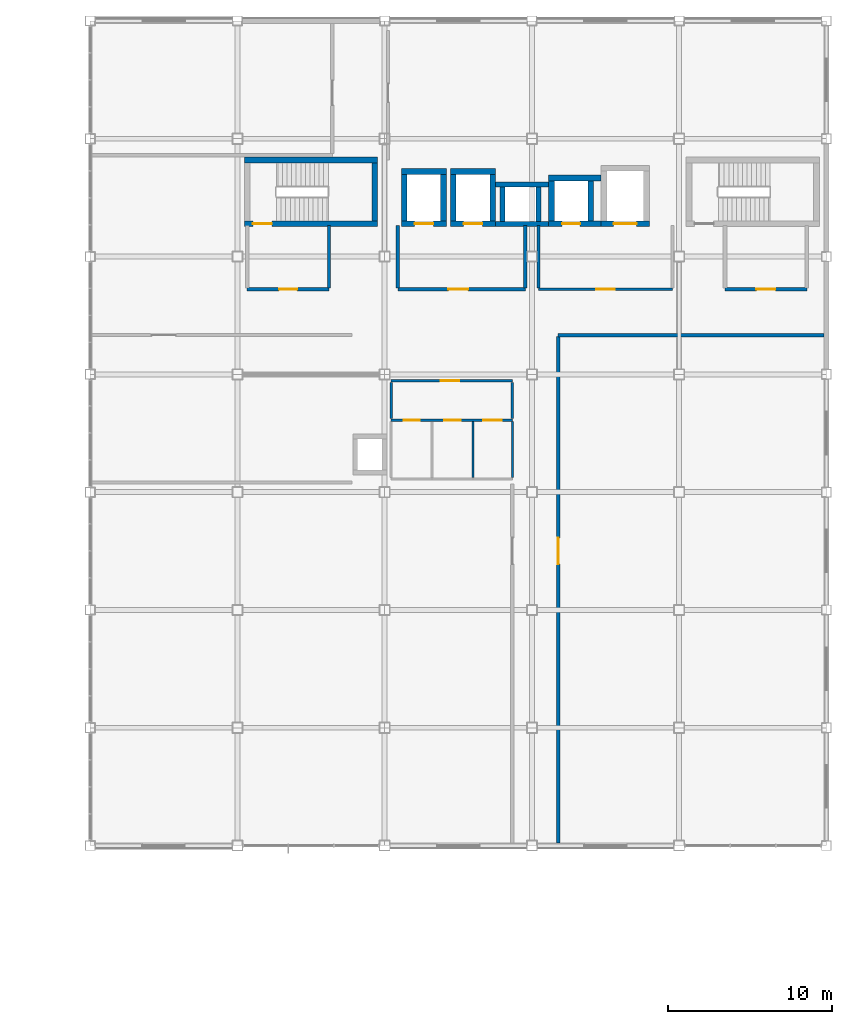
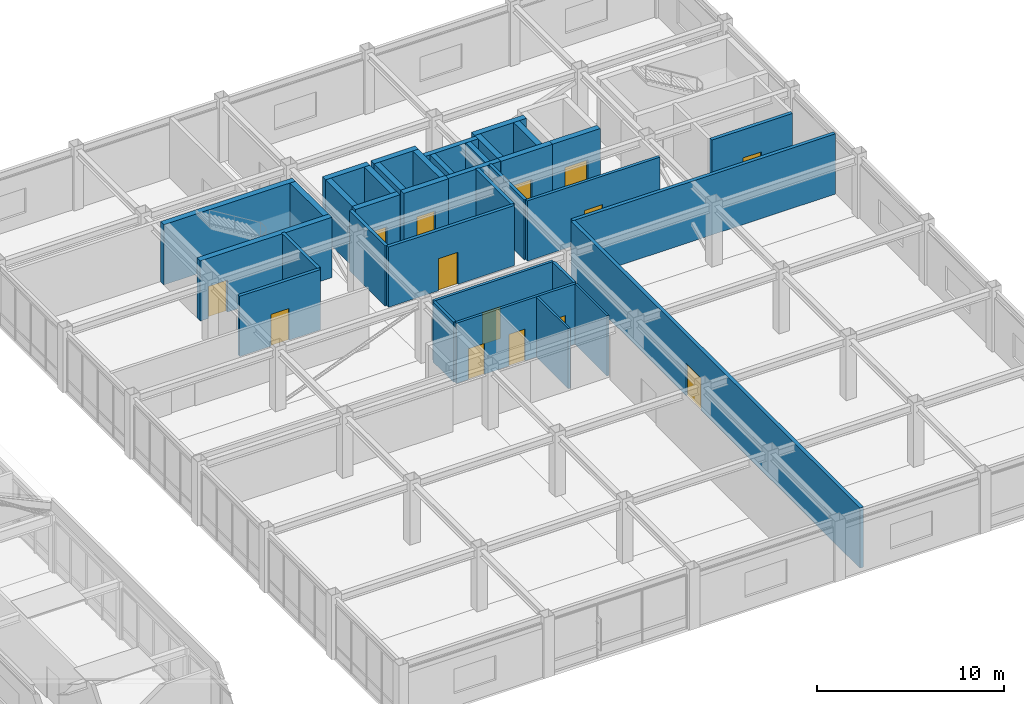
# One storey, part 90 of 106: 36 walls, 14 doors, 14 openings.
"""IFC4 building model written with IfcOpenShell, lengths in metres."""

from ifc_helpers import new_model, si_unit, direction, frame, frame_2d, origin, place, context, subcontext, project, spatial, rectangle, extrude, material, layer, layer_set, type_object, element, fill, save


model = new_model("IFC4")

# Units and contexts
model_context = context("Model", 3, precision=1e-05, world=origin(), true_north=direction((0.0, 1.0)))
body_context = subcontext(model_context, "Body", "Model", "MODEL_VIEW")
ifc_project = project(units=[si_unit("LENGTHUNIT", "METRE"), si_unit("AREAUNIT", "SQUARE_METRE"), si_unit("VOLUMEUNIT", "CUBIC_METRE"), si_unit("PLANEANGLEUNIT", "RADIAN"), si_unit("MASSUNIT", "GRAM", prefix="KILO")], contexts=[model_context])

# Site, building, storey
site_placement = place(None, origin())
site = spatial("IfcSite", under=ifc_project, at=site_placement, CompositionType="ELEMENT")
building_placement = place(site_placement, origin())
building = spatial("IfcBuilding", under=site, at=building_placement, Name="Kazanami Central Library", CompositionType="ELEMENT")
storey_placement = place(building_placement, frame((0.0, 0.0, 12.800048828125)))
storey = spatial("IfcBuildingStorey", under=building, at=storey_placement, Name="L04", CompositionType="ELEMENT", Elevation=12.800048828125)

# Wall, openings, doors
ifc_material_1 = material(Name="Fire-Resistant Gypsum Board GB-F", Category="gypsum")
ifc_layer_1 = layer(ifc_material_1, 0.1650390625, Name="Fire-Resistant Gypsum Board GB-F")
ifc_layer_set_1 = layer_set([ifc_layer_1], Name="Fire-Resistant Gypsum Board GB-F")
wall_type_1 = type_object("IfcWallType", Name="WAL-FW-165", PredefinedType="PARTITIONING", material=ifc_layer_set_1)
wall_1_placement = place(storey_placement, frame((135.39990234375, 69.199951171875, 0.0), z_axis=(0.0, 0.0, 1.0), x_axis=(1.0, 0.0, 0.0)))
wall_1 = element("IfcWall", 1, at=wall_1_placement, inside=storey, type_object=wall_type_1, Name="Interior Partition FW-165 L04 WC-V2-LOB (South)", PredefinedType="PARTITIONING", context=body_context, shape_type="SweptSolid", body=[
    extrude(rectangle(XDim=7.400146484375, YDim=0.1650390625, at=frame_2d((3.7001953125, 0.0))), origin(), (0.0, 0.0, 1.0), 3.93994140625),
])
opening_1_placement = place(wall_1_placement, frame((0.760009765625, 0.0, 0.0)))
opening_1 = element("IfcOpeningElement", 2, at=opening_1_placement, cuts=wall_1, Name="Opening FD30-3", PredefinedType="OPENING", context=body_context, shape_type="SweptSolid", body=[
    extrude(rectangle(XDim=0.97998046875, YDim=2.02001953125, at=frame_2d((0.489990234375, 1.010009765625))), frame((0.0, 0.094482421875, 0.0), z_axis=(0.0, -1.0, 0.0), x_axis=(1.0, 0.0, 0.0)), (0.0, 0.0, 1.0), 0.18896484375),
])
opening_2_placement = place(wall_1_placement, frame((3.25, 0.0, 0.0)))
opening_2 = element("IfcOpeningElement", 3, at=opening_2_placement, cuts=wall_1, Name="Opening FD30-2", PredefinedType="OPENING", context=body_context, shape_type="SweptSolid", body=[
    extrude(rectangle(XDim=1.0, YDim=2.080078125, at=frame_2d((0.5, 1.0400390625))), frame((0.0, 0.094482421875, 0.0), z_axis=(0.0, -1.0, 0.0), x_axis=(1.0, 0.0, 0.0)), (0.0, 0.0, 1.0), 0.18896484375),
])
opening_3_placement = place(wall_1_placement, frame((5.639892578125, 0.0, 0.0)))
opening_3 = element("IfcOpeningElement", 4, at=opening_3_placement, cuts=wall_1, Name="Opening FD30-8", PredefinedType="OPENING", context=body_context, shape_type="SweptSolid", body=[
    extrude(rectangle(XDim=1.1201171875, YDim=2.080078125, at=frame_2d((0.56005859375, 1.0400390625))), frame((0.0, 0.094482421875, 0.0), z_axis=(0.0, -1.0, 0.0), x_axis=(1.0, 0.0, 0.0)), (0.0, 0.0, 1.0), 0.18896484375),
])
ifc_material_2 = material(Name="Cold-Rolled Steel SPCC", Category="steel")
door_type_1 = type_object("IfcDoorType", Name="DOR-FD30-2", OperationType="NOTDEFINED", PredefinedType="DOOR", material=ifc_material_2)
door_1_placement = place(opening_2_placement, origin())
door_1 = element("IfcDoor", 5, at=door_1_placement, inside=storey, type_object=door_type_1, Name="Interior Door FD30-2 L04 WC-V2-F", OperationType="SINGLE_SWING_LEFT", OverallHeight=2.080078125, OverallWidth=1.0, PredefinedType="DOOR", context=body_context, shape_type="SweptSolid", body=[
    extrude(rectangle(XDim=1.0, YDim=2.080078125, at=frame_2d((0.5, 1.0400390625))), frame((0.0, 0.02490234375, 0.0), z_axis=(0.0, -1.0, 0.0), x_axis=(1.0, 0.0, 0.0)), (0.0, 0.0, 1.0), 0.050048828125),
])
fill(opening_2, door_1)
door_type_2 = type_object("IfcDoorType", Name="DOR-FD30-3", OperationType="NOTDEFINED", PredefinedType="DOOR", material=ifc_material_2)
door_2_placement = place(opening_1_placement, origin())
door_2 = element("IfcDoor", 6, at=door_2_placement, inside=storey, type_object=door_type_2, Name="Interior Door FD30-3 L04 WC-V2-M", OperationType="SINGLE_SWING_RIGHT", OverallHeight=2.02001953125, OverallWidth=0.97998046875, PredefinedType="DOOR", context=body_context, shape_type="SweptSolid", body=[
    extrude(rectangle(XDim=0.97998046875, YDim=2.02001953125, at=frame_2d((0.489990234375, 1.010009765625))), frame((0.0, 0.02490234375, 0.0), z_axis=(0.0, -1.0, 0.0), x_axis=(1.0, 0.0, 0.0)), (0.0, 0.0, 1.0), 0.050048828125),
])
fill(opening_1, door_2)
door_type_3 = type_object("IfcDoorType", Name="DOR-FD30-8", OperationType="NOTDEFINED", PredefinedType="DOOR", material=ifc_material_2)
door_3_placement = place(opening_3_placement, origin())
door_3 = element("IfcDoor", 7, at=door_3_placement, inside=storey, type_object=door_type_3, Name="Interior Door FD30-8 L04 WC-V2-ACC", OperationType="SINGLE_SWING_RIGHT", OverallHeight=2.080078125, OverallWidth=1.1201171875, PredefinedType="DOOR", context=body_context, shape_type="SweptSolid", body=[
    extrude(rectangle(XDim=1.1201171875, YDim=2.080078125, at=frame_2d((0.56005859375, 1.0400390625))), frame((0.0, 0.02490234375, 0.0), z_axis=(0.0, -1.0, 0.0), x_axis=(1.0, 0.0, 0.0)), (0.0, 0.0, 1.0), 0.050048828125),
])
fill(opening_3, door_3)

# Wall, opening, door
wall_2_placement = place(storey_placement, frame((135.39990234375, 71.60009765625, 0.0), z_axis=(0.0, 0.0, 1.0), x_axis=(1.0, 0.0, 0.0)))
wall_2 = element("IfcWall", 8, at=wall_2_placement, inside=storey, type_object=wall_type_1, Name="Interior Partition FW-165 L04 WC-V2-LOB (North)", PredefinedType="PARTITIONING", context=body_context, shape_type="SweptSolid", body=[
    extrude(rectangle(XDim=7.400146484375, YDim=0.1650390625, at=frame_2d((3.7001953125, 0.0))), origin(), (0.0, 0.0, 1.0), 3.93994140625),
])
opening_4_placement = place(wall_2_placement, frame((3.0400390625, 0.0, 0.0)))
opening_4 = element("IfcOpeningElement", 9, at=opening_4_placement, cuts=wall_2, Name="Opening FD30-8", PredefinedType="OPENING", context=body_context, shape_type="SweptSolid", body=[
    extrude(rectangle(XDim=1.1201171875, YDim=2.080078125, at=frame_2d((0.56005859375, 1.0400390625))), frame((0.0, 0.094482421875, 0.0), z_axis=(0.0, -1.0, 0.0), x_axis=(1.0, 0.0, 0.0)), (0.0, 0.0, 1.0), 0.18896484375),
])
door_4_placement = place(opening_4_placement, origin())
door_4 = element("IfcDoor", 10, at=door_4_placement, inside=storey, type_object=door_type_3, Name="Interior Door FD30-8 L04 WC-V2-LOB", OperationType="SINGLE_SWING_LEFT", OverallHeight=2.080078125, OverallWidth=1.1201171875, PredefinedType="DOOR", context=body_context, shape_type="SweptSolid", body=[
    extrude(rectangle(XDim=1.1201171875, YDim=2.080078125, at=frame_2d((0.56005859375, 1.0400390625))), frame((0.0, 0.02490234375, 0.0), z_axis=(0.0, -1.0, 0.0), x_axis=(1.0, 0.0, 0.0)), (0.0, 0.0, 1.0), 0.050048828125),
])
fill(opening_4, door_4)

# Walls
for number, where, z_axis, x_axis, name in (
    (11, (135.39990234375, 69.2900390625, 0.0), (0.0, 0.0, 1.0), (0.0, 1.0, 0.0), "Interior Partition FW-165 L04 WC-V2-LOB (West)"),
    (12, (142.800048828125, 69.2900390625, 0.0), (0.0, 0.0, 1.0), (0.0, 1.0, 0.0), "Interior Partition FW-165 L04 WC-V2-LOB (East)"),
):
    element("IfcWall", number, at=place(storey_placement, frame(where, z_axis=z_axis, x_axis=x_axis)), inside=storey, type_object=wall_type_1, Name=name, PredefinedType="PARTITIONING", context=body_context, shape_type="SweptSolid", body=[
        extrude(rectangle(XDim=2.219970703125, YDim=0.1650390625, at=frame_2d((1.10986328125, 0.0))), origin(), (0.0, 0.0, 1.0), 3.93994140625),
    ])

# Wall, opening, door
ifc_layer_2 = layer(ifc_material_1, 0.179931640625, Name="Fire-Resistant Gypsum Board GB-F")
ifc_layer_set_2 = layer_set([ifc_layer_2], Name="Fire-Resistant Gypsum Board GB-F")
wall_type_2 = type_object("IfcWallType", Name="WAL-FW-180", PredefinedType="PARTITIONING", material=ifc_layer_set_2)
wall_3_placement = place(storey_placement, frame((144.39990234375, 77.199951171875, 0.0), z_axis=(0.0, 0.0, 1.0), x_axis=(1.0, 0.0, 0.0)))
wall_3 = element("IfcWall", 13, at=wall_3_placement, inside=storey, type_object=wall_type_2, Name="Interior Partition FW-180 L04 LOBBY-V2 (South)", PredefinedType="PARTITIONING", context=body_context, shape_type="SweptSolid", body=[
    extrude(rectangle(XDim=8.2001953125, YDim=0.179931640625, at=frame_2d((4.10009765625, 0.0))), origin(), (0.0, 0.0, 1.0), 3.93994140625),
])
opening_5_placement = place(wall_3_placement, frame((3.5400390625, 0.0, 0.0)))
opening_5 = element("IfcOpeningElement", 14, at=opening_5_placement, cuts=wall_3, Name="Opening FD30-8", PredefinedType="OPENING", context=body_context, shape_type="SweptSolid", body=[
    extrude(rectangle(XDim=1.1201171875, YDim=2.080078125, at=frame_2d((0.56005859375, 1.0400390625))), frame((0.0, 0.10205078125, 0.0), z_axis=(0.0, -1.0, 0.0), x_axis=(1.0, 0.0, 0.0)), (0.0, 0.0, 1.0), 0.203857421875),
])
door_5_placement = place(opening_5_placement, frame((1.1201171875, 0.0, 0.0), z_axis=(0.0, 0.0, 1.0), x_axis=(-1.0, 0.0, 0.0)))
door_5 = element("IfcDoor", 15, at=door_5_placement, inside=storey, type_object=door_type_3, Name="Interior Door FD30-8 L04 LOBBY-V2", OperationType="SINGLE_SWING_RIGHT", OverallHeight=2.080078125, OverallWidth=1.1201171875, PredefinedType="DOOR", context=body_context, shape_type="SweptSolid", body=[
    extrude(rectangle(XDim=1.1201171875, YDim=2.080078125, at=frame_2d((0.56005859375, 1.0400390625))), frame((0.0, 0.02490234375, 0.0), z_axis=(0.0, -1.0, 0.0), x_axis=(1.0, 0.0, 0.0)), (0.0, 0.0, 1.0), 0.050048828125),
])
fill(opening_5, door_5)

# Wall
wall_4_placement = place(storey_placement, frame((144.39990234375, 77.2900390625, 0.0), z_axis=(0.0, 0.0, 1.0), x_axis=(0.0, 1.0, 0.0)))
element("IfcWall", 16, at=wall_4_placement, inside=storey, type_object=wall_type_2, Name="Interior Partition FW-180 L04 LOBBY-V2 (West)", PredefinedType="PARTITIONING", context=body_context, shape_type="SweptSolid", body=[
    extrude(rectangle(XDim=3.820068359375, YDim=0.179931640625, at=frame_2d((1.91015625, 0.0))), origin(), (0.0, 0.0, 1.0), 3.93994140625),
])

# Wall, opening, door
ifc_layer_3 = layer(ifc_material_1, 0.199951171875, Name="Fire-Resistant Gypsum Board GB-F")
ifc_layer_set_3 = layer_set([ifc_layer_3], Name="Fire-Resistant Gypsum Board GB-F")
wall_type_3 = type_object("IfcWallType", Name="WAL-FW-200", PredefinedType="PARTITIONING", material=ifc_layer_set_3)
wall_5_placement = place(storey_placement, frame((126.60009765625, 77.199951171875, 0.0), z_axis=(0.0, 0.0, 1.0), x_axis=(1.0, 0.0, 0.0)))
wall_5 = element("IfcWall", 17, at=wall_5_placement, inside=storey, type_object=wall_type_3, Name="Interior Partition FW-200 L04 VEST-ST-01 (South)", PredefinedType="PARTITIONING", context=body_context, shape_type="SweptSolid", body=[
    extrude(rectangle(XDim=5.0, YDim=0.199951171875, at=frame_2d((2.5, 0.0))), origin(), (0.0, 0.0, 1.0), 3.93994140625),
])
opening_6_placement = place(wall_5_placement, frame((1.949951171875, 0.0, 0.0)))
opening_6 = element("IfcOpeningElement", 18, at=opening_6_placement, cuts=wall_5, Name="Opening FD60-3", PredefinedType="OPENING", context=body_context, shape_type="SweptSolid", body=[
    extrude(rectangle(XDim=1.10009765625, YDim=2.080078125, at=frame_2d((0.550048828125, 1.0400390625))), frame((0.0, 0.11181640625, 0.0), z_axis=(0.0, -1.0, 0.0), x_axis=(1.0, 0.0, 0.0)), (0.0, 0.0, 1.0), 0.223876953125),
])
door_type_4 = type_object("IfcDoorType", Name="DOR-FD60-3", OperationType="NOTDEFINED", PredefinedType="DOOR", material=ifc_material_2)
door_6_placement = place(opening_6_placement, origin())
door_6 = element("IfcDoor", 19, at=door_6_placement, inside=storey, type_object=door_type_4, Name="Interior Door FD60-3 L04 VEST-ST-01", OperationType="SINGLE_SWING_LEFT", OverallHeight=2.080078125, OverallWidth=1.10009765625, PredefinedType="DOOR", context=body_context, shape_type="SweptSolid", body=[
    extrude(rectangle(XDim=1.10009765625, YDim=2.080078125, at=frame_2d((0.550048828125, 1.0400390625))), frame((0.0, 0.02490234375, 0.0), z_axis=(0.0, -1.0, 0.0), x_axis=(1.0, 0.0, 0.0)), (0.0, 0.0, 1.0), 0.050048828125),
])
fill(opening_6, door_6)

# Wall
wall_6_placement = place(storey_placement, frame((131.60009765625, 77.2900390625, 0.0), z_axis=(0.0, 0.0, 1.0), x_axis=(0.0, 1.0, 0.0)))
element("IfcWall", 20, at=wall_6_placement, inside=storey, type_object=wall_type_3, Name="Interior Partition FW-200 L04 VEST-ST-01 (East)", PredefinedType="PARTITIONING", context=body_context, shape_type="SweptSolid", body=[
    extrude(rectangle(XDim=3.820068359375, YDim=0.199951171875, at=frame_2d((1.91015625, 0.0))), origin(), (0.0, 0.0, 1.0), 3.93994140625),
])

# Wall, opening, door
wall_7_placement = place(storey_placement, frame((135.800048828125, 77.199951171875, 0.0), z_axis=(0.0, 0.0, 1.0), x_axis=(1.0, 0.0, 0.0)))
wall_7 = element("IfcWall", 21, at=wall_7_placement, inside=storey, type_object=wall_type_3, Name="Interior Partition FW-200 L04 LOBBY-FF (South)", PredefinedType="PARTITIONING", context=body_context, shape_type="SweptSolid", body=[
    extrude(rectangle(XDim=7.800048828125, YDim=0.199951171875, at=frame_2d((3.89990234375, 0.0))), origin(), (0.0, 0.0, 1.0), 3.93994140625),
])
opening_7_placement = place(wall_7_placement, frame((3.10009765625, 0.0, 0.0)))
opening_7 = element("IfcOpeningElement", 22, at=opening_7_placement, cuts=wall_7, Name="Opening FD60-1", PredefinedType="OPENING", context=body_context, shape_type="SweptSolid", body=[
    extrude(rectangle(XDim=1.199951171875, YDim=2.10009765625, at=frame_2d((0.60009765625, 1.050048828125))), frame((0.0, 0.11181640625, 0.0), z_axis=(0.0, -1.0, 0.0), x_axis=(1.0, 0.0, 0.0)), (0.0, 0.0, 1.0), 0.223876953125),
])
door_type_5 = type_object("IfcDoorType", Name="DOR-FD60-1", OperationType="NOTDEFINED", PredefinedType="DOOR", material=ifc_material_2)
door_7_placement = place(opening_7_placement, frame((1.199951171875, 0.0, 0.0), z_axis=(0.0, 0.0, 1.0), x_axis=(-1.0, 0.0, 0.0)))
door_7 = element("IfcDoor", 23, at=door_7_placement, inside=storey, type_object=door_type_5, Name="Interior Door FD60-1 L04 LOBBY-FF", OperationType="SINGLE_SWING_LEFT", OverallHeight=2.10009765625, OverallWidth=1.199951171875, PredefinedType="DOOR", context=body_context, shape_type="SweptSolid", body=[
    extrude(rectangle(XDim=1.199951171875, YDim=2.10009765625, at=frame_2d((0.60009765625, 1.050048828125))), frame((0.0, 0.02490234375, 0.0), z_axis=(0.0, -1.0, 0.0), x_axis=(1.0, 0.0, 0.0)), (0.0, 0.0, 1.0), 0.050048828125),
])
fill(opening_7, door_7)

# Walls
for number, where, z_axis, x_axis, name in (
    (24, (135.800048828125, 77.2900390625, 0.0), (0.0, 0.0, 1.0), (0.0, 1.0, 0.0), "Interior Partition FW-200 L04 LOBBY-FF (West)"),
    (25, (143.60009765625, 77.2900390625, 0.0), (0.0, 0.0, 1.0), (0.0, 1.0, 0.0), "Interior Partition FW-200 L04 LOBBY-FF (East)"),
):
    element("IfcWall", number, at=place(storey_placement, frame(where, z_axis=z_axis, x_axis=x_axis)), inside=storey, type_object=wall_type_3, Name=name, PredefinedType="PARTITIONING", context=body_context, shape_type="SweptSolid", body=[
        extrude(rectangle(XDim=3.820068359375, YDim=0.199951171875, at=frame_2d((1.91015625, 0.0))), origin(), (0.0, 0.0, 1.0), 3.93994140625),
    ])

# Wall, opening, door
ifc_layer_4 = layer(ifc_material_1, 0.219970703125, Name="Fire-Resistant Gypsum Board GB-F")
ifc_layer_set_4 = layer_set([ifc_layer_4], Name="Fire-Resistant Gypsum Board GB-F")
wall_type_4 = type_object("IfcWallType", Name="WAL-FW-220", PredefinedType="PARTITIONING", material=ifc_layer_set_4)
wall_8_placement = place(storey_placement, frame((155.800048828125, 77.199951171875, 0.0), z_axis=(0.0, 0.0, 1.0), x_axis=(1.0, 0.0, 0.0)))
wall_8 = element("IfcWall", 26, at=wall_8_placement, inside=storey, type_object=wall_type_4, Name="Interior Partition FW-220 L04 VEST-ST-02 (South)", PredefinedType="PARTITIONING", context=body_context, shape_type="SweptSolid", body=[
    extrude(rectangle(XDim=5.0, YDim=0.219970703125, at=frame_2d((2.5, 0.0))), origin(), (0.0, 0.0, 1.0), 3.93994140625),
])
opening_8_placement = place(wall_8_placement, frame((1.925048828125, 0.0, 0.0)))
opening_8 = element("IfcOpeningElement", 27, at=opening_8_placement, cuts=wall_8, Name="Opening FD60-2", PredefinedType="OPENING", context=body_context, shape_type="SweptSolid", body=[
    extrude(rectangle(XDim=1.14990234375, YDim=2.10009765625, at=frame_2d((0.574951171875, 1.050048828125))), frame((0.0, 0.1220703125, 0.0), z_axis=(0.0, -1.0, 0.0), x_axis=(1.0, 0.0, 0.0)), (0.0, 0.0, 1.0), 0.243896484375),
])
door_type_6 = type_object("IfcDoorType", Name="DOR-FD60-2", OperationType="NOTDEFINED", PredefinedType="DOOR", material=ifc_material_2)
door_8_placement = place(opening_8_placement, origin())
door_8 = element("IfcDoor", 28, at=door_8_placement, inside=storey, type_object=door_type_6, Name="Interior Door FD60-2 L04 VEST-ST-02", OperationType="SINGLE_SWING_RIGHT", OverallHeight=2.10009765625, OverallWidth=1.14990234375, PredefinedType="DOOR", context=body_context, shape_type="SweptSolid", body=[
    extrude(rectangle(XDim=1.14990234375, YDim=2.10009765625, at=frame_2d((0.574951171875, 1.050048828125))), frame((0.0, 0.02490234375, 0.0), z_axis=(0.0, -1.0, 0.0), x_axis=(1.0, 0.0, 0.0)), (0.0, 0.0, 1.0), 0.050048828125),
])
fill(opening_8, door_8)

# Wall
wall_9_placement = place(storey_placement, frame((145.60009765625, 74.39990234375, 0.0), z_axis=(0.0, 0.0, 1.0), x_axis=(1.0, 0.0, 0.0)))
element("IfcWall", 29, at=wall_9_placement, inside=storey, type_object=wall_type_4, Name="Interior Partition FW-220 L04 RM-28 (North)", PredefinedType="PARTITIONING", context=body_context, shape_type="SweptSolid", body=[
    extrude(rectangle(XDim=16.244873046875, YDim=0.219970703125, at=frame_2d((8.12255859375, 0.0))), origin(), (0.0, 0.0, 1.0), 3.93994140625),
])

# Wall, opening, door
wall_10_placement = place(storey_placement, frame((145.60009765625, 43.364990234375, 0.0), z_axis=(0.0, 0.0, 1.0), x_axis=(0.0, 1.0, 0.0)))
wall_10 = element("IfcWall", 30, at=wall_10_placement, inside=storey, type_object=wall_type_4, Name="Interior Partition FW-220 L04 RM-28 (West)", PredefinedType="PARTITIONING", context=body_context, shape_type="SweptSolid", body=[
    extrude(rectangle(XDim=30.945068359375, YDim=0.219970703125, at=frame_2d((15.47265625, 0.0))), origin(), (0.0, 0.0, 1.0), 3.93994140625),
])
opening_9_placement = place(wall_10_placement, frame((17.034912109375, 0.0, 0.0)))
opening_9 = element("IfcOpeningElement", 31, at=opening_9_placement, cuts=wall_10, Name="Opening FD60-4", PredefinedType="OPENING", context=body_context, shape_type="SweptSolid", body=[
    extrude(rectangle(XDim=1.60009765625, YDim=2.1201171875, at=frame_2d((0.800048828125, 1.06005859375))), frame((0.0, 0.1220703125, 0.0), z_axis=(0.0, -1.0, 0.0), x_axis=(1.0, 0.0, 0.0)), (0.0, 0.0, 1.0), 0.243896484375),
])
door_type_7 = type_object("IfcDoorType", Name="DOR-FD60-4", OperationType="DOUBLE_DOOR_SINGLE_SWING", PredefinedType="DOOR", material=ifc_material_2)
door_9_placement = place(opening_9_placement, origin())
door_9 = element("IfcDoor", 32, at=door_9_placement, inside=storey, type_object=door_type_7, Name="Interior Door FD60-4 L04 RM-28", OperationType="DOUBLE_DOOR_SINGLE_SWING", OverallHeight=2.1201171875, OverallWidth=1.60009765625, PredefinedType="DOOR", context=body_context, shape_type="SweptSolid", body=[
    extrude(rectangle(XDim=1.60009765625, YDim=2.1201171875, at=frame_2d((0.800048828125, 1.06005859375))), frame((0.0, 0.02490234375, 0.0), z_axis=(0.0, -1.0, 0.0), x_axis=(1.0, 0.0, 0.0)), (0.0, 0.0, 1.0), 0.050048828125),
])
fill(opening_9, door_9)

# Walls
ifc_material_3 = material(Name="Gypsum Plasterboard GB-R", Category="gypsum")
ifc_layer_5 = layer(ifc_material_3, 0.125, Name="Gypsum Plasterboard GB-R")
ifc_layer_set_5 = layer_set([ifc_layer_5], Name="Gypsum Plasterboard GB-R")
wall_type_5 = type_object("IfcWallType", Name="WAL-PW-125", PredefinedType="PARTITIONING", material=ifc_layer_set_5)
for number, where, z_axis, x_axis, name in (
    (33, (140.39990234375, 65.68994140625, 0.0), (0.0, 0.0, 1.0), (0.0, 1.0, 0.0), "Interior Partition PW-125 L04 WC-V2-F (East)"),
    (34, (142.800048828125, 65.68994140625, 0.0), (0.0, 0.0, 1.0), (0.0, 1.0, 0.0), "Interior Partition PW-125 L04 WC-V2-ACC (East)"),
):
    element("IfcWall", number, at=place(storey_placement, frame(where, z_axis=z_axis, x_axis=x_axis)), inside=storey, type_object=wall_type_5, Name=name, PredefinedType="PARTITIONING", context=body_context, shape_type="SweptSolid", body=[
        extrude(rectangle(XDim=3.420166015625, YDim=0.125, at=frame_2d((1.7099609375, 0.0))), origin(), (0.0, 0.0, 1.0), 3.93994140625),
    ])
ifc_material_4 = material(Name="Concrete Fc36 (36 MPa)", Category="concrete")
ifc_layer_6 = layer(ifc_material_4, 0.300048828125, Name="Concrete Fc36 (36 MPa)")
ifc_layer_set_6 = layer_set([ifc_layer_6], Name="Concrete Fc36 (36 MPa)")
wall_type_6 = type_object("IfcWallType", Name="WAL-SW-300", PredefinedType="SHEAR", material=ifc_layer_set_6)
for number, where, z_axis, x_axis, name in (
    (35, (141.77490234375, 81.199951171875, 0.0), (0.0, 0.0, 1.0), (1.0, 0.0, 0.0), "Service Riser Wall RSR-V2-A S L04"),
    (36, (141.77490234375, 83.60009765625, 0.0), (0.0, 0.0, 1.0), (1.0, 0.0, 0.0), "Service Riser Wall RSR-V2-A N L04"),
):
    element("IfcWall", number, at=place(storey_placement, frame(where, z_axis=z_axis, x_axis=x_axis)), inside=storey, type_object=wall_type_6, Name=name, PredefinedType="SHEAR", context=body_context, shape_type="SweptSolid", body=[
        extrude(rectangle(XDim=3.25, YDim=0.300048828125, at=frame_2d((1.625, 0.0))), origin(), (0.0, 0.0, 1.0), 3.93994140625),
    ])
for number, where, z_axis, x_axis, name in (
    (37, (142.199951171875, 81.35009765625, 0.0), (0.0, 0.0, 1.0), (0.0, 1.0, 0.0), "Service Riser Wall RSR-V2-A W L04"),
    (38, (144.39990234375, 81.35009765625, 0.0), (0.0, 0.0, 1.0), (0.0, 1.0, 0.0), "Service Riser Wall RSR-V2-A E L04"),
):
    element("IfcWall", number, at=place(storey_placement, frame(where, z_axis=z_axis, x_axis=x_axis)), inside=storey, type_object=wall_type_6, Name=name, PredefinedType="SHEAR", context=body_context, shape_type="SweptSolid", body=[
        extrude(rectangle(XDim=2.099853515625, YDim=0.300048828125, at=frame_2d((1.0498046875, 0.0))), origin(), (0.0, 0.0, 1.0), 3.93994140625),
    ])

# Wall, opening, door
ifc_layer_7 = layer(ifc_material_4, 0.35009765625, Name="Concrete Fc36 (36 MPa)")
ifc_layer_set_7 = layer_set([ifc_layer_7], Name="Concrete Fc36 (36 MPa)")
wall_type_7 = type_object("IfcWallType", Name="WAL-SW-350", PredefinedType="SHEAR", material=ifc_layer_set_7)
wall_11_placement = place(storey_placement, frame((126.425048828125, 81.199951171875, 0.0), z_axis=(0.0, 0.0, 1.0), x_axis=(1.0, 0.0, 0.0)))
wall_11 = element("IfcWall", 39, at=wall_11_placement, inside=storey, type_object=wall_type_7, Name="Stair Core Wall ST-01 South L04", PredefinedType="SHEAR", context=body_context, shape_type="SweptSolid", body=[
    extrude(rectangle(XDim=8.14990234375, YDim=0.35009765625, at=frame_2d((4.074951171875, 0.0))), origin(), (0.0, 0.0, 1.0), 3.93994140625),
])
opening_10_placement = place(wall_11_placement, frame((0.52490234375, 0.0, 0.0)))
opening_10 = element("IfcOpeningElement", 40, at=opening_10_placement, cuts=wall_11, Name="Opening FD60-2", PredefinedType="OPENING", context=body_context, shape_type="SweptSolid", body=[
    extrude(rectangle(XDim=1.14990234375, YDim=2.10009765625, at=frame_2d((0.574951171875, 1.050048828125))), frame((0.0, 0.18701171875, 0.0), z_axis=(0.0, -1.0, 0.0), x_axis=(1.0, 0.0, 0.0)), (0.0, 0.0, 1.0), 0.3740234375),
])
door_10_placement = place(opening_10_placement, origin())
door_10 = element("IfcDoor", 41, at=door_10_placement, inside=storey, type_object=door_type_6, Name="Escape Stair ST-01 Fire Door L04", OperationType="SINGLE_SWING_LEFT", OverallHeight=2.10009765625, OverallWidth=1.14990234375, PredefinedType="DOOR", context=body_context, shape_type="SweptSolid", body=[
    extrude(rectangle(XDim=1.14990234375, YDim=2.10009765625, at=frame_2d((0.574951171875, 1.050048828125))), frame((0.0, 0.02490234375, 0.0), z_axis=(0.0, -1.0, 0.0), x_axis=(1.0, 0.0, 0.0)), (0.0, 0.0, 1.0), 0.050048828125),
])
fill(opening_10, door_10)

# Walls
wall_12_placement = place(storey_placement, frame((126.425048828125, 85.10009765625, 0.0), z_axis=(0.0, 0.0, 1.0), x_axis=(1.0, 0.0, 0.0)))
element("IfcWall", 42, at=wall_12_placement, inside=storey, type_object=wall_type_7, Name="Stair Core Wall ST-01 North L04", PredefinedType="SHEAR", context=body_context, shape_type="SweptSolid", body=[
    extrude(rectangle(XDim=8.14990234375, YDim=0.35009765625, at=frame_2d((4.074951171875, 0.0))), origin(), (0.0, 0.0, 1.0), 3.93994140625),
])
wall_13_placement = place(storey_placement, frame((134.39990234375, 81.375, 0.0), z_axis=(0.0, 0.0, 1.0), x_axis=(0.0, 1.0, 0.0)))
element("IfcWall", 43, at=wall_13_placement, inside=storey, type_object=wall_type_7, Name="Stair Core Wall ST-01 East L04", PredefinedType="SHEAR", context=body_context, shape_type="SweptSolid", body=[
    extrude(rectangle(XDim=3.550048828125, YDim=0.35009765625, at=frame_2d((1.77490234375, 0.0))), origin(), (0.0, 0.0, 1.0), 3.93994140625),
])

# Wall, opening, door
wall_14_placement = place(storey_placement, frame((136.02490234375, 81.199951171875, 0.0), z_axis=(0.0, 0.0, 1.0), x_axis=(1.0, 0.0, 0.0)))
wall_14 = element("IfcWall", 44, at=wall_14_placement, inside=storey, type_object=wall_type_7, Name="Lift Shaft Wall EL-F1 South L04", PredefinedType="SHEAR", context=body_context, shape_type="SweptSolid", body=[
    extrude(rectangle(XDim=2.75, YDim=0.35009765625, at=frame_2d((1.375, 0.0))), origin(), (0.0, 0.0, 1.0), 3.93994140625),
])
opening_11_placement = place(wall_14_placement, frame((0.800048828125, 0.0, 0.0)))
opening_11 = element("IfcOpeningElement", 45, at=opening_11_placement, cuts=wall_14, Name="Opening LD-02", PredefinedType="OPENING", context=body_context, shape_type="SweptSolid", body=[
    extrude(rectangle(XDim=1.14990234375, YDim=2.1201171875, at=frame_2d((0.574951171875, 1.06005859375))), frame((0.0, 0.18701171875, 0.0), z_axis=(0.0, -1.0, 0.0), x_axis=(1.0, 0.0, 0.0)), (0.0, 0.0, 1.0), 0.3740234375),
])
ifc_material_5 = material(Name="Stainless Steel SUS304", Category="steel")
door_type_8 = type_object("IfcDoorType", Name="DOR-LD-02", OperationType="SLIDING_TO_LEFT", PredefinedType="DOOR", material=ifc_material_5)
door_11_placement = place(opening_11_placement, origin())
door_11 = element("IfcDoor", 46, at=door_11_placement, inside=storey, type_object=door_type_8, Name="Lift Landing Sliding Door EL-F1 (L04)", OperationType="SLIDING_TO_LEFT", OverallHeight=2.1201171875, OverallWidth=1.14990234375, PredefinedType="DOOR", context=body_context, shape_type="SweptSolid", body=[
    extrude(rectangle(XDim=1.14990234375, YDim=2.1201171875, at=frame_2d((0.574951171875, 1.06005859375))), frame((0.0, 0.02490234375, 0.0), z_axis=(0.0, -1.0, 0.0), x_axis=(1.0, 0.0, 0.0)), (0.0, 0.0, 1.0), 0.050048828125),
])
fill(opening_11, door_11)

# Walls
wall_15_placement = place(storey_placement, frame((136.02490234375, 84.39990234375, 0.0), z_axis=(0.0, 0.0, 1.0), x_axis=(1.0, 0.0, 0.0)))
element("IfcWall", 47, at=wall_15_placement, inside=storey, type_object=wall_type_7, Name="Lift Shaft Wall EL-F1 North L04", PredefinedType="SHEAR", context=body_context, shape_type="SweptSolid", body=[
    extrude(rectangle(XDim=2.75, YDim=0.35009765625, at=frame_2d((1.375, 0.0))), origin(), (0.0, 0.0, 1.0), 3.93994140625),
])
for number, where, z_axis, x_axis, name in (
    (48, (136.199951171875, 81.375, 0.0), (0.0, 0.0, 1.0), (0.0, 1.0, 0.0), "Lift Shaft Wall EL-F1 West L04"),
    (49, (138.60009765625, 81.375, 0.0), (0.0, 0.0, 1.0), (0.0, 1.0, 0.0), "Lift Shaft Wall EL-F1 East L04"),
):
    element("IfcWall", number, at=place(storey_placement, frame(where, z_axis=z_axis, x_axis=x_axis)), inside=storey, type_object=wall_type_7, Name=name, PredefinedType="SHEAR", context=body_context, shape_type="SweptSolid", body=[
        extrude(rectangle(XDim=2.85009765625, YDim=0.35009765625, at=frame_2d((1.425048828125, 0.0))), origin(), (0.0, 0.0, 1.0), 3.93994140625),
    ])

# Wall, opening, door
wall_16_placement = place(storey_placement, frame((139.02490234375, 81.199951171875, 0.0), z_axis=(0.0, 0.0, 1.0), x_axis=(1.0, 0.0, 0.0)))
wall_16 = element("IfcWall", 50, at=wall_16_placement, inside=storey, type_object=wall_type_7, Name="Lift Shaft Wall EL-F2 South L04", PredefinedType="SHEAR", context=body_context, shape_type="SweptSolid", body=[
    extrude(rectangle(XDim=2.75, YDim=0.35009765625, at=frame_2d((1.375, 0.0))), origin(), (0.0, 0.0, 1.0), 3.93994140625),
])
opening_12_placement = place(wall_16_placement, frame((0.800048828125, 0.0, 0.0)))
opening_12 = element("IfcOpeningElement", 51, at=opening_12_placement, cuts=wall_16, Name="Opening LD-02", PredefinedType="OPENING", context=body_context, shape_type="SweptSolid", body=[
    extrude(rectangle(XDim=1.14990234375, YDim=2.1201171875, at=frame_2d((0.574951171875, 1.06005859375))), frame((0.0, 0.18701171875, 0.0), z_axis=(0.0, -1.0, 0.0), x_axis=(1.0, 0.0, 0.0)), (0.0, 0.0, 1.0), 0.3740234375),
])
door_12_placement = place(opening_12_placement, origin())
door_12 = element("IfcDoor", 52, at=door_12_placement, inside=storey, type_object=door_type_8, Name="Lift Landing Sliding Door EL-F2 (L04)", OperationType="SLIDING_TO_LEFT", OverallHeight=2.1201171875, OverallWidth=1.14990234375, PredefinedType="DOOR", context=body_context, shape_type="SweptSolid", body=[
    extrude(rectangle(XDim=1.14990234375, YDim=2.1201171875, at=frame_2d((0.574951171875, 1.06005859375))), frame((0.0, 0.02490234375, 0.0), z_axis=(0.0, -1.0, 0.0), x_axis=(1.0, 0.0, 0.0)), (0.0, 0.0, 1.0), 0.050048828125),
])
fill(opening_12, door_12)

# Walls
wall_17_placement = place(storey_placement, frame((139.02490234375, 84.39990234375, 0.0), z_axis=(0.0, 0.0, 1.0), x_axis=(1.0, 0.0, 0.0)))
element("IfcWall", 53, at=wall_17_placement, inside=storey, type_object=wall_type_7, Name="Lift Shaft Wall EL-F2 North L04", PredefinedType="SHEAR", context=body_context, shape_type="SweptSolid", body=[
    extrude(rectangle(XDim=2.75, YDim=0.35009765625, at=frame_2d((1.375, 0.0))), origin(), (0.0, 0.0, 1.0), 3.93994140625),
])
for number, where, z_axis, x_axis, name in (
    (54, (139.199951171875, 81.375, 0.0), (0.0, 0.0, 1.0), (0.0, 1.0, 0.0), "Lift Shaft Wall EL-F2 West L04"),
    (55, (141.60009765625, 81.375, 0.0), (0.0, 0.0, 1.0), (0.0, 1.0, 0.0), "Lift Shaft Wall EL-F2 East L04"),
):
    element("IfcWall", number, at=place(storey_placement, frame(where, z_axis=z_axis, x_axis=x_axis)), inside=storey, type_object=wall_type_7, Name=name, PredefinedType="SHEAR", context=body_context, shape_type="SweptSolid", body=[
        extrude(rectangle(XDim=2.85009765625, YDim=0.35009765625, at=frame_2d((1.425048828125, 0.0))), origin(), (0.0, 0.0, 1.0), 3.93994140625),
    ])

# Wall, opening, door
wall_18_placement = place(storey_placement, frame((145.02490234375, 81.199951171875, 0.0), z_axis=(0.0, 0.0, 1.0), x_axis=(1.0, 0.0, 0.0)))
wall_18 = element("IfcWall", 56, at=wall_18_placement, inside=storey, type_object=wall_type_7, Name="Lift Shaft Wall EL-P1 South L04", PredefinedType="SHEAR", context=body_context, shape_type="SweptSolid", body=[
    extrude(rectangle(XDim=3.2001953125, YDim=0.35009765625, at=frame_2d((1.60009765625, 0.0))), origin(), (0.0, 0.0, 1.0), 3.93994140625),
])
opening_13_placement = place(wall_18_placement, frame((0.824951171875, 0.0, 0.0)))
opening_13 = element("IfcOpeningElement", 57, at=opening_13_placement, cuts=wall_18, Name="Opening LD-01", PredefinedType="OPENING", context=body_context, shape_type="SweptSolid", body=[
    extrude(rectangle(XDim=1.10009765625, YDim=2.10009765625, at=frame_2d((0.550048828125, 1.050048828125))), frame((0.0, 0.18701171875, 0.0), z_axis=(0.0, -1.0, 0.0), x_axis=(1.0, 0.0, 0.0)), (0.0, 0.0, 1.0), 0.3740234375),
])
door_type_9 = type_object("IfcDoorType", Name="DOR-LD-01", OperationType="SLIDING_TO_LEFT", PredefinedType="DOOR", material=ifc_material_5)
door_13_placement = place(opening_13_placement, origin())
door_13 = element("IfcDoor", 58, at=door_13_placement, inside=storey, type_object=door_type_9, Name="Lift Landing Sliding Door EL-P1 (L04)", OperationType="SLIDING_TO_LEFT", OverallHeight=2.10009765625, OverallWidth=1.10009765625, PredefinedType="DOOR", context=body_context, shape_type="SweptSolid", body=[
    extrude(rectangle(XDim=1.10009765625, YDim=2.10009765625, at=frame_2d((0.550048828125, 1.050048828125))), frame((0.0, 0.02490234375, 0.0), z_axis=(0.0, -1.0, 0.0), x_axis=(1.0, 0.0, 0.0)), (0.0, 0.0, 1.0), 0.050048828125),
])
fill(opening_13, door_13)

# Walls
wall_19_placement = place(storey_placement, frame((145.02490234375, 84.0, 0.0), z_axis=(0.0, 0.0, 1.0), x_axis=(1.0, 0.0, 0.0)))
element("IfcWall", 59, at=wall_19_placement, inside=storey, type_object=wall_type_7, Name="Lift Shaft Wall EL-P1 North L04", PredefinedType="SHEAR", context=body_context, shape_type="SweptSolid", body=[
    extrude(rectangle(XDim=3.2001953125, YDim=0.35009765625, at=frame_2d((1.60009765625, 0.0))), origin(), (0.0, 0.0, 1.0), 3.93994140625),
])
for number, where, z_axis, x_axis, name in (
    (60, (145.199951171875, 81.375, 0.0), (0.0, 0.0, 1.0), (0.0, 1.0, 0.0), "Lift Shaft Wall EL-P1 West L04"),
    (61, (147.60009765625, 81.375, 0.0), (0.0, 0.0, 1.0), (0.0, 1.0, 0.0), "Lift Shaft Wall EL-P1 East L04"),
):
    element("IfcWall", number, at=place(storey_placement, frame(where, z_axis=z_axis, x_axis=x_axis)), inside=storey, type_object=wall_type_7, Name=name, PredefinedType="SHEAR", context=body_context, shape_type="SweptSolid", body=[
        extrude(rectangle(XDim=2.449951171875, YDim=0.35009765625, at=frame_2d((1.22509765625, 0.0))), origin(), (0.0, 0.0, 1.0), 3.93994140625),
    ])

# Wall, opening, door
wall_20_placement = place(storey_placement, frame((148.22509765625, 81.199951171875, 0.0), z_axis=(0.0, 0.0, 1.0), x_axis=(1.0, 0.0, 0.0)))
wall_20 = element("IfcWall", 62, at=wall_20_placement, inside=storey, type_object=wall_type_7, Name="Lift Shaft Wall EL-S1 South L04", PredefinedType="SHEAR", context=body_context, shape_type="SweptSolid", body=[
    extrude(rectangle(XDim=2.949951171875, YDim=0.35009765625, at=frame_2d((1.47509765625, 0.0))), origin(), (0.0, 0.0, 1.0), 3.93994140625),
])
opening_14_placement = place(wall_20_placement, frame((0.77490234375, 0.0, 0.0)))
opening_14 = element("IfcOpeningElement", 63, at=opening_14_placement, cuts=wall_20, Name="Opening LD-03", PredefinedType="OPENING", context=body_context, shape_type="SweptSolid", body=[
    extrude(rectangle(XDim=1.39990234375, YDim=2.14990234375, at=frame_2d((0.699951171875, 1.074951171875))), frame((0.0, 0.18701171875, 0.0), z_axis=(0.0, -1.0, 0.0), x_axis=(1.0, 0.0, 0.0)), (0.0, 0.0, 1.0), 0.3740234375),
])
door_type_10 = type_object("IfcDoorType", Name="DOR-LD-03", OperationType="SLIDING_TO_LEFT", PredefinedType="DOOR", material=ifc_material_5)
door_14_placement = place(opening_14_placement, origin())
door_14 = element("IfcDoor", 64, at=door_14_placement, inside=storey, type_object=door_type_10, Name="Lift Landing Sliding Door EL-S1 (L04)", OperationType="SLIDING_TO_LEFT", OverallHeight=2.14990234375, OverallWidth=1.39990234375, PredefinedType="DOOR", context=body_context, shape_type="SweptSolid", body=[
    extrude(rectangle(XDim=1.39990234375, YDim=2.14990234375, at=frame_2d((0.699951171875, 1.074951171875))), frame((0.0, 0.02490234375, 0.0), z_axis=(0.0, -1.0, 0.0), x_axis=(1.0, 0.0, 0.0)), (0.0, 0.0, 1.0), 0.050048828125),
])
fill(opening_14, door_14)

save(model, "model.ifc")
